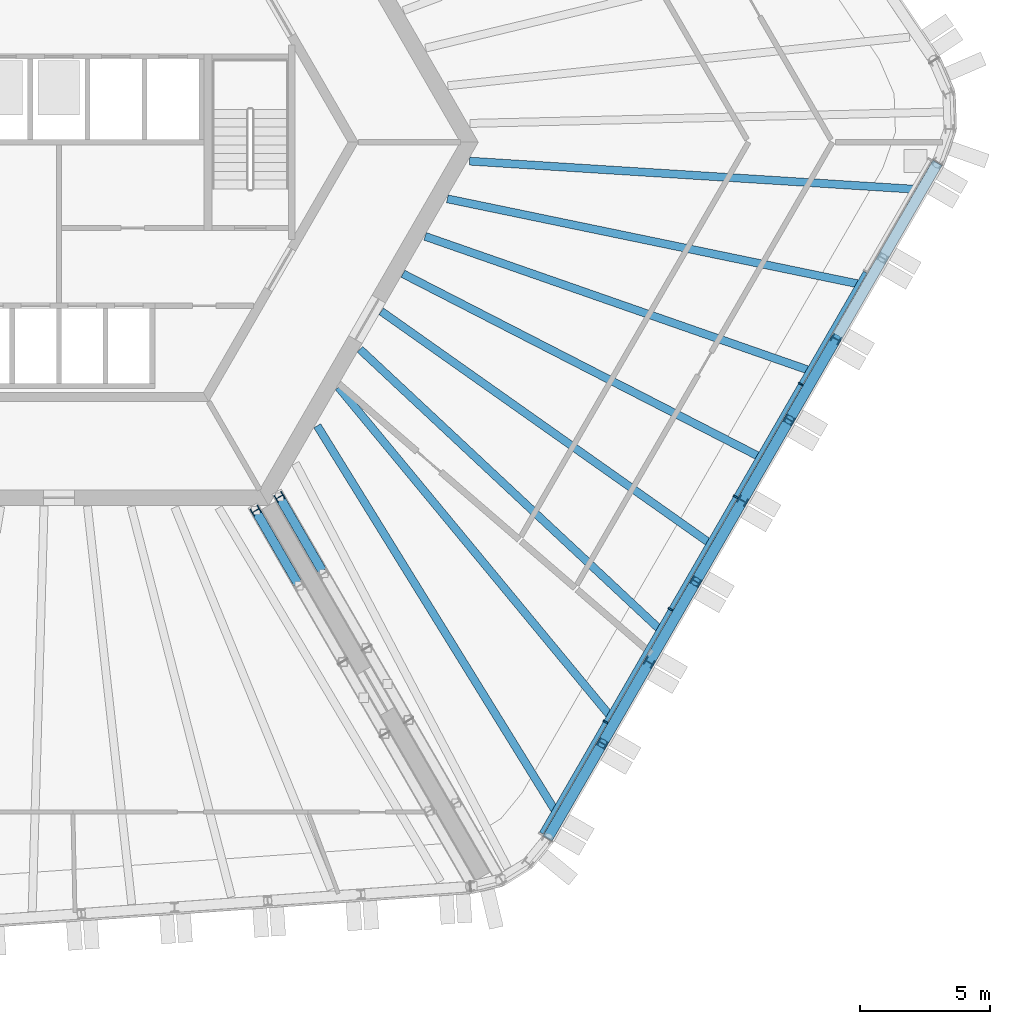
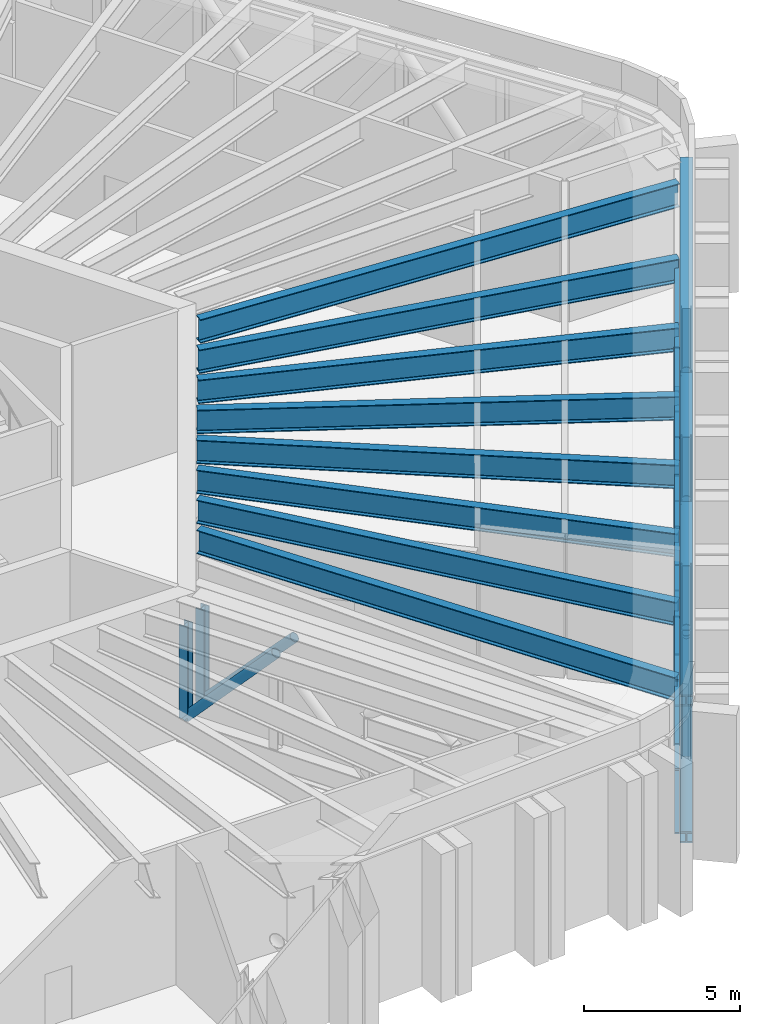
# One storey, part 5 of 27: 37 members, 8 beams, 1 element without a shape of its own.
"""IFC4 building model written with IfcOpenShell, lengths in metres."""

from ifc_helpers import new_model, si_unit, direction, frame, origin, origin_2d, place, context, subcontext, project, spatial, rectangle, hollow_circle, i_section, extrude, material, material_profile, profile_set, type_object, element, aggregate, save


model = new_model("IFC4")

# Units and contexts
model_context = context("Model", 3, precision=1e-05, world=origin(), true_north=direction((0.0, 1.0)))
body_context = subcontext(model_context, "Body", "Model", "MODEL_VIEW")
ifc_project = project(units=[si_unit("LENGTHUNIT", "METRE"), si_unit("AREAUNIT", "SQUARE_METRE"), si_unit("VOLUMEUNIT", "CUBIC_METRE"), si_unit("PLANEANGLEUNIT", "RADIAN"), si_unit("MASSUNIT", "GRAM", prefix="KILO")], contexts=[model_context])

# Site, building, storey
site_placement = place(None, origin())
site = spatial("IfcSite", under=ifc_project, at=site_placement, CompositionType="ELEMENT")
building_placement = place(site_placement, origin())
building = spatial("IfcBuilding", under=site, at=building_placement, Name="Tarnside Tower", CompositionType="ELEMENT")
storey_placement = place(building_placement, frame((0.0, 0.0, 146.699951171875)))
storey = spatial("IfcBuildingStorey", under=building, at=storey_placement, Name="L34", CompositionType="ELEMENT", Elevation=146.699951171875)

# Beams
ifc_material_1 = material(Name="Steel S355", Category="steel")
ifc_material_profile_1 = material_profile(ifc_material_1, i_section(OverallWidth=0.3076171875, OverallDepth=0.926513671875, WebThickness=0.01953125, FlangeThickness=0.031982421875, FilletRadius=0.01904296875, at=origin_2d()), Name="UB 914x305x289")
ifc_profile_set_1 = profile_set([ifc_material_profile_1], Name="Steel S355")
beam_type = type_object("IfcBeamType", Name="Floor beam UB 914x305x289", PredefinedType="BEAM", material=ifc_profile_set_1)
beam_1_placement = place(storey_placement, frame((19.1181640625, -25.747802734375, 5.036865234375), z_axis=(-0.525801635152, 0.85060721868, 0.0), x_axis=(-0.85060721868, -0.525801635152, 0.0)))
element("IfcBeam", 1, at=beam_1_placement, inside=storey, type_object=beam_type, Name="Floor beam F5.01", PredefinedType="BEAM", context=body_context, shape_type="SweptSolid", body=[
    extrude(i_section(OverallWidth=0.3076171875, OverallDepth=0.926513671875, WebThickness=0.01953125, FlangeThickness=0.031982421875, FilletRadius=0.01904296875, at=origin_2d()), origin(), (0.0, 0.0, 1.0), 17.421875),
])
beam_2_placement = place(storey_placement, frame((21.250732421875, -22.1181640625, 5.036865234375), z_axis=(-0.636972775793, 0.770886296998, 0.0), x_axis=(-0.770886296998, -0.636972775793, 0.0)))
element("IfcBeam", 2, at=beam_2_placement, inside=storey, type_object=beam_type, Name="Floor beam F5.02", PredefinedType="BEAM", context=body_context, shape_type="SweptSolid", body=[
    extrude(i_section(OverallWidth=0.3076171875, OverallDepth=0.926513671875, WebThickness=0.01953125, FlangeThickness=0.031982421875, FilletRadius=0.01904296875, at=origin_2d()), origin(), (0.0, 0.0, 1.0), 16.44091796875),
])
beam_3_placement = place(storey_placement, frame((23.185791015625, -18.80078125, 5.036865234375), z_axis=(-0.730681765742, 0.682718212157, 0.0), x_axis=(-0.682718212157, -0.730681765742, 0.0)))
element("IfcBeam", 3, at=beam_3_placement, inside=storey, type_object=beam_type, Name="Floor beam F5.03", PredefinedType="BEAM", context=body_context, shape_type="SweptSolid", body=[
    extrude(i_section(OverallWidth=0.3076171875, OverallDepth=0.926513671875, WebThickness=0.01953125, FlangeThickness=0.031982421875, FilletRadius=0.01904296875, at=origin_2d()), origin(), (0.0, 0.0, 1.0), 15.8505859375),
])
beam_4_placement = place(storey_placement, frame((25.125, -15.48046875, 5.036865234375), z_axis=(-0.817006167251, 0.576628929793, 0.0), x_axis=(-0.576628929793, -0.817006167251, 0.0)))
element("IfcBeam", 4, at=beam_4_placement, inside=storey, type_object=beam_type, Name="Floor beam F5.04", PredefinedType="BEAM", context=body_context, shape_type="SweptSolid", body=[
    extrude(i_section(OverallWidth=0.3076171875, OverallDepth=0.926513671875, WebThickness=0.01953125, FlangeThickness=0.031982421875, FilletRadius=0.01904296875, at=origin_2d()), origin(), (0.0, 0.0, 1.0), 15.543701171875),
])
beam_5_placement = place(storey_placement, frame((27.049560546875, -12.146484375, 5.036865234375), z_axis=(-0.889651260344, 0.456640597153, 0.0), x_axis=(-0.456640597153, -0.889651260344, 0.0)))
element("IfcBeam", 5, at=beam_5_placement, inside=storey, type_object=beam_type, Name="Floor beam F5.05", PredefinedType="BEAM", context=body_context, shape_type="SweptSolid", body=[
    extrude(i_section(OverallWidth=0.3076171875, OverallDepth=0.926513671875, WebThickness=0.01953125, FlangeThickness=0.031982421875, FilletRadius=0.01904296875, at=origin_2d()), origin(), (0.0, 0.0, 1.0), 15.497802734375),
])
beam_6_placement = place(storey_placement, frame((28.955810546875, -8.806396484375, 5.036865234375), z_axis=(-0.944155121826, 0.32950129883, 0.0), x_axis=(-0.32950129883, -0.944155121826, 0.0)))
element("IfcBeam", 6, at=beam_6_placement, inside=storey, type_object=beam_type, Name="Floor beam F5.06", PredefinedType="BEAM", context=body_context, shape_type="SweptSolid", body=[
    extrude(i_section(OverallWidth=0.3076171875, OverallDepth=0.926513671875, WebThickness=0.01953125, FlangeThickness=0.031982421875, FilletRadius=0.01904296875, at=origin_2d()), origin(), (0.0, 0.0, 1.0), 15.716796875),
])
beam_7_placement = place(storey_placement, frame((30.86083984375, -5.47119140625, 5.036865234375), z_axis=(-0.979223447039, 0.202784222188, 0.0), x_axis=(-0.202784222188, -0.979223447039, 0.0)))
element("IfcBeam", 7, at=beam_7_placement, inside=storey, type_object=beam_type, Name="Floor beam F5.07", PredefinedType="BEAM", context=body_context, shape_type="SweptSolid", body=[
    extrude(i_section(OverallWidth=0.3076171875, OverallDepth=0.926513671875, WebThickness=0.01953125, FlangeThickness=0.031982421875, FilletRadius=0.01904296875, at=origin_2d()), origin(), (0.0, 0.0, 1.0), 16.2255859375),
])
beam_8_placement = place(storey_placement, frame((32.9580078125, -1.8095703125, 5.036865234375), z_axis=(-0.998011798019, 0.063027383051, 0.0), x_axis=(-0.063027383051, -0.998011798019, 0.0)))
element("IfcBeam", 8, at=beam_8_placement, inside=storey, type_object=beam_type, Name="Floor beam F5.08", PredefinedType="BEAM", context=body_context, shape_type="SweptSolid", body=[
    extrude(i_section(OverallWidth=0.3076171875, OverallDepth=0.926513671875, WebThickness=0.01953125, FlangeThickness=0.031982421875, FilletRadius=0.01904296875, at=origin_2d()), origin(), (0.0, 0.0, 1.0), 17.163818359375),
])

# Members
ifc_material_profile_2 = material_profile(ifc_material_1, hollow_circle(Radius=0.177734375, WallThickness=0.01611328125, at=origin_2d()), Name="CHS 355.6x16")
ifc_profile_set_2 = profile_set([ifc_material_profile_2], Name="Steel S355")
member_type_1 = type_object("IfcMemberType", Name="Outrigger diagonal CHS 355.6x16", PredefinedType="BRACE", material=ifc_profile_set_2)
member_1_placement = place(storey_placement, frame((8.504150390625, -13.669189453125, 0.921142578125), z_axis=(0.340680500688, -0.590109040481, 0.731920840524), x_axis=(0.866037549347, 0.499978962678, 0.0)))
element("IfcMember", 9, at=member_1_placement, inside=storey, type_object=member_type_1, Name="Outrigger truss diagonal OR3A 1", PredefinedType="BRACE", context=body_context, shape_type="SweptSolid", body=[
    extrude(hollow_circle(Radius=0.177734375, WallThickness=0.01611328125, at=origin_2d()), origin(), (0.0, 0.0, 1.0), 4.997802734375),
])
member_2_placement = place(storey_placement, frame((7.585693359375, -14.199462890625, 0.921142578125), z_axis=(0.337241918553, -0.58411246384, 0.73829568464), x_axis=(0.866022559518, 0.500004926382, 0.0)))
element("IfcMember", 10, at=member_2_placement, inside=storey, type_object=member_type_1, Name="Outrigger truss diagonal OR3B 1", PredefinedType="BRACE", context=body_context, shape_type="SweptSolid", body=[
    extrude(hollow_circle(Radius=0.177734375, WallThickness=0.01611328125, at=origin_2d()), origin(), (0.0, 0.0, 1.0), 4.95458984375),
])
ifc_material_profile_3 = material_profile(ifc_material_1, i_section(OverallWidth=0.314453125, OverallDepth=0.33984375, WebThickness=0.01904296875, FlangeThickness=0.031494140625, FilletRadius=0.01513671875, at=origin_2d()), Name="UC 305x305x198")
ifc_profile_set_3 = profile_set([ifc_material_profile_3], Name="Steel S355")
member_type_2 = type_object("IfcMemberType", Name="Outrigger post UC 305x305x198", PredefinedType="POST", material=ifc_profile_set_3)
for number, where, z_axis, x_axis, name in (
    (11, (8.504150390625, -13.669189453125, 0.921142578125), (0.0, 0.0, 1.0), (0.5, -0.866025403784, 0.0), "Outrigger truss post OR3A 1"),
    (12, (7.585693359375, -14.199462890625, 0.921142578125), (0.0, 0.0, 1.0), (0.5, -0.866025403784, 0.0), "Outrigger truss post OR3B 1"),
):
    element("IfcMember", number, at=place(storey_placement, frame(where, z_axis=z_axis, x_axis=x_axis)), inside=storey, type_object=member_type_2, Name=name, PredefinedType="POST", context=body_context, shape_type="SweptSolid", body=[
        extrude(i_section(OverallWidth=0.314453125, OverallDepth=0.33984375, WebThickness=0.01904296875, FlangeThickness=0.031494140625, FilletRadius=0.01513671875, at=origin_2d()), origin(), (0.0, 0.0, 1.0), 3.657958984375),
    ])

# Curtain wall, members
ifc_material_2 = material(Name="Sky lobby glazing wall", Category="glass")
curtain_wall_type = type_object("IfcCurtainWallType", Name="Sky lobby glazing wall", PredefinedType="NOTDEFINED", material=ifc_material_2)
curtain_wall_placement = place(storey_placement, origin())
curtain_wall = element("IfcCurtainWall", 13, at=curtain_wall_placement, inside=storey, type_object=curtain_wall_type, Name="Sky lobby glazing L34 F5", PredefinedType="NOTDEFINED")
ifc_material_3 = material(Name="Aluminium alloy 6063", Category="aluminium")
ifc_material_profile_4 = material_profile(ifc_material_3, rectangle(XDim=0.199951171875, YDim=0.06005859375, at=origin_2d()), Name="Sky lobby glazing mullion 60 x 200")
ifc_profile_set_4 = profile_set([ifc_material_profile_4], Name="Aluminium alloy 6063")
member_type_3 = type_object("IfcMemberType", Name="Sky lobby glazing mullion 60 x 200", PredefinedType="MULLION", material=ifc_profile_set_4)
member_3_placement = place(storey_placement, frame((21.0712890625, -22.34130859375, 0.0), z_axis=(0.0, 0.0, 1.0), x_axis=(-0.866025403793, 0.499999999985, 0.0)))
member_3 = element("IfcMember", 14, at=member_3_placement, type_object=member_type_3, Name="CW4 mullion 2", PredefinedType="MULLION", context=body_context, shape_type="SweptSolid", body=[
    extrude(rectangle(XDim=0.199951171875, YDim=0.06005859375, at=origin_2d()), origin(), (0.0, 0.0, 1.0), 5.0634765625),
])
member_4_placement = place(storey_placement, frame((23.5771484375, -18.0009765625, 0.0), z_axis=(0.0, 0.0, 1.0), x_axis=(-0.866025403793, 0.499999999985, 0.0)))
member_4 = element("IfcMember", 15, at=member_4_placement, type_object=member_type_3, Name="CW4 mullion 3", PredefinedType="MULLION", context=body_context, shape_type="SweptSolid", body=[
    extrude(rectangle(XDim=0.199951171875, YDim=0.06005859375, at=origin_2d()), origin(), (0.0, 0.0, 1.0), 5.0634765625),
])
member_5_placement = place(storey_placement, frame((26.0830078125, -13.66064453125, 0.0), z_axis=(0.0, 0.0, 1.0), x_axis=(-0.866025403793, 0.499999999985, 0.0)))
member_5 = element("IfcMember", 16, at=member_5_placement, type_object=member_type_3, Name="CW4 mullion 4", PredefinedType="MULLION", context=body_context, shape_type="SweptSolid", body=[
    extrude(rectangle(XDim=0.199951171875, YDim=0.06005859375, at=origin_2d()), origin(), (0.0, 0.0, 1.0), 5.0634765625),
])
member_6_placement = place(storey_placement, frame((28.5888671875, -9.3203125, 0.0), z_axis=(0.0, 0.0, 1.0), x_axis=(-0.866025403793, 0.499999999985, 0.0)))
member_6 = element("IfcMember", 17, at=member_6_placement, type_object=member_type_3, Name="CW4 mullion 5", PredefinedType="MULLION", context=body_context, shape_type="SweptSolid", body=[
    extrude(rectangle(XDim=0.199951171875, YDim=0.06005859375, at=origin_2d()), origin(), (0.0, 0.0, 1.0), 5.0634765625),
])
ifc_material_profile_5 = material_profile(ifc_material_3, rectangle(XDim=0.159912109375, YDim=0.06005859375, at=origin_2d()), Name="Sky lobby glazing transom 60 x 160")
ifc_profile_set_5 = profile_set([ifc_material_profile_5], Name="Aluminium alloy 6063")
member_type_4 = type_object("IfcMemberType", Name="Sky lobby glazing transom 60 x 160", PredefinedType="USERDEFINED", material=ifc_profile_set_5)
member_7_placement = place(storey_placement, frame((18.59521484375, -26.6298828125, 0.030029296875), z_axis=(0.500001549491, 0.866024509183, 0.0), x_axis=(-0.866024509183, 0.500001549491, 0.0)))
member_7 = element("IfcMember", 18, at=member_7_placement, type_object=member_type_4, Name="CW4 transom 1.1", ObjectType="TRANSOM", PredefinedType="USERDEFINED", context=body_context, shape_type="SweptSolid", body=[
    extrude(rectangle(XDim=0.159912109375, YDim=0.06005859375, at=origin_2d()), origin(), (0.0, 0.0, 1.0), 4.921875),
])
member_8_placement = place(storey_placement, frame((18.59521484375, -26.6298828125, 2.53173828125), z_axis=(0.500001549491, 0.866024509183, 0.0), x_axis=(-0.866024509183, 0.500001549491, 0.0)))
member_8 = element("IfcMember", 19, at=member_8_placement, type_object=member_type_4, Name="CW4 transom 1.2", ObjectType="TRANSOM", PredefinedType="USERDEFINED", context=body_context, shape_type="SweptSolid", body=[
    extrude(rectangle(XDim=0.159912109375, YDim=0.06005859375, at=origin_2d()), origin(), (0.0, 0.0, 1.0), 4.921875),
])
member_9_placement = place(storey_placement, frame((18.59521484375, -26.6298828125, 5.033447265625), z_axis=(0.500001549491, 0.866024509183, 0.0), x_axis=(-0.866024509183, 0.500001549491, 0.0)))
member_9 = element("IfcMember", 20, at=member_9_placement, type_object=member_type_4, Name="CW4 transom 1.3", ObjectType="TRANSOM", PredefinedType="USERDEFINED", context=body_context, shape_type="SweptSolid", body=[
    extrude(rectangle(XDim=0.159912109375, YDim=0.06005859375, at=origin_2d()), origin(), (0.0, 0.0, 1.0), 4.921875),
])
member_10_placement = place(storey_placement, frame((21.086181640625, -22.3154296875, 0.030029296875), z_axis=(0.499994176729, 0.866028765826, 0.0), x_axis=(-0.866028765826, 0.499994176729, 0.0)))
member_10 = element("IfcMember", 21, at=member_10_placement, type_object=member_type_4, Name="CW4 transom 2.1", ObjectType="TRANSOM", PredefinedType="USERDEFINED", context=body_context, shape_type="SweptSolid", body=[
    extrude(rectangle(XDim=0.159912109375, YDim=0.06005859375, at=origin_2d()), origin(), (0.0, 0.0, 1.0), 4.95166015625),
])
member_11_placement = place(storey_placement, frame((21.086181640625, -22.3154296875, 2.53173828125), z_axis=(0.499994176729, 0.866028765826, 0.0), x_axis=(-0.866028765826, 0.499994176729, 0.0)))
member_11 = element("IfcMember", 22, at=member_11_placement, type_object=member_type_4, Name="CW4 transom 2.2", ObjectType="TRANSOM", PredefinedType="USERDEFINED", context=body_context, shape_type="SweptSolid", body=[
    extrude(rectangle(XDim=0.159912109375, YDim=0.06005859375, at=origin_2d()), origin(), (0.0, 0.0, 1.0), 4.95166015625),
])
member_12_placement = place(storey_placement, frame((21.086181640625, -22.3154296875, 5.033447265625), z_axis=(0.499994176729, 0.866028765826, 0.0), x_axis=(-0.866028765826, 0.499994176729, 0.0)))
member_12 = element("IfcMember", 23, at=member_12_placement, type_object=member_type_4, Name="CW4 transom 2.3", ObjectType="TRANSOM", PredefinedType="USERDEFINED", context=body_context, shape_type="SweptSolid", body=[
    extrude(rectangle(XDim=0.159912109375, YDim=0.06005859375, at=origin_2d()), origin(), (0.0, 0.0, 1.0), 4.95166015625),
])
member_13_placement = place(storey_placement, frame((23.592041015625, -17.97509765625, 0.030029296875), z_axis=(0.500009804862, 0.866019742871, 0.0), x_axis=(-0.866019742871, 0.500009804862, 0.0)))
member_13 = element("IfcMember", 24, at=member_13_placement, type_object=member_type_4, Name="CW4 transom 3.1", ObjectType="TRANSOM", PredefinedType="USERDEFINED", context=body_context, shape_type="SweptSolid", body=[
    extrude(rectangle(XDim=0.159912109375, YDim=0.06005859375, at=origin_2d()), origin(), (0.0, 0.0, 1.0), 4.9521484375),
])
member_14_placement = place(storey_placement, frame((23.592041015625, -17.97509765625, 2.53173828125), z_axis=(0.500009804862, 0.866019742871, 0.0), x_axis=(-0.866019742871, 0.500009804862, 0.0)))
member_14 = element("IfcMember", 25, at=member_14_placement, type_object=member_type_4, Name="CW4 transom 3.2", ObjectType="TRANSOM", PredefinedType="USERDEFINED", context=body_context, shape_type="SweptSolid", body=[
    extrude(rectangle(XDim=0.159912109375, YDim=0.06005859375, at=origin_2d()), origin(), (0.0, 0.0, 1.0), 4.9521484375),
])
member_15_placement = place(storey_placement, frame((23.592041015625, -17.97509765625, 5.033447265625), z_axis=(0.500009804862, 0.866019742871, 0.0), x_axis=(-0.866019742871, 0.500009804862, 0.0)))
member_15 = element("IfcMember", 26, at=member_15_placement, type_object=member_type_4, Name="CW4 transom 3.3", ObjectType="TRANSOM", PredefinedType="USERDEFINED", context=body_context, shape_type="SweptSolid", body=[
    extrude(rectangle(XDim=0.159912109375, YDim=0.06005859375, at=origin_2d()), origin(), (0.0, 0.0, 1.0), 4.9521484375),
])
member_16_placement = place(storey_placement, frame((26.09814453125, -13.634765625, 0.030029296875), z_axis=(0.499972828297, 0.866041090806, 0.0), x_axis=(-0.866041090806, 0.499972828297, 0.0)))
member_16 = element("IfcMember", 27, at=member_16_placement, type_object=member_type_4, Name="CW4 transom 4.1", ObjectType="TRANSOM", PredefinedType="USERDEFINED", context=body_context, shape_type="SweptSolid", body=[
    extrude(rectangle(XDim=0.159912109375, YDim=0.06005859375, at=origin_2d()), origin(), (0.0, 0.0, 1.0), 4.951904296875),
])
member_17_placement = place(storey_placement, frame((26.09814453125, -13.634765625, 2.53173828125), z_axis=(0.499972828297, 0.866041090806, 0.0), x_axis=(-0.866041090806, 0.499972828297, 0.0)))
member_17 = element("IfcMember", 28, at=member_17_placement, type_object=member_type_4, Name="CW4 transom 4.2", ObjectType="TRANSOM", PredefinedType="USERDEFINED", context=body_context, shape_type="SweptSolid", body=[
    extrude(rectangle(XDim=0.159912109375, YDim=0.06005859375, at=origin_2d()), origin(), (0.0, 0.0, 1.0), 4.951904296875),
])
member_18_placement = place(storey_placement, frame((26.09814453125, -13.634765625, 5.033447265625), z_axis=(0.499972828297, 0.866041090806, 0.0), x_axis=(-0.866041090806, 0.499972828297, 0.0)))
member_18 = element("IfcMember", 29, at=member_18_placement, type_object=member_type_4, Name="CW4 transom 4.3", ObjectType="TRANSOM", PredefinedType="USERDEFINED", context=body_context, shape_type="SweptSolid", body=[
    extrude(rectangle(XDim=0.159912109375, YDim=0.06005859375, at=origin_2d()), origin(), (0.0, 0.0, 1.0), 4.951904296875),
])
member_19_placement = place(storey_placement, frame((28.60400390625, -9.294189453125, 0.030029296875), z_axis=(0.499994176729, 0.866028765826, 0.0), x_axis=(-0.866028765826, 0.499994176729, 0.0)))
member_19 = element("IfcMember", 30, at=member_19_placement, type_object=member_type_4, Name="CW4 transom 5.1", ObjectType="TRANSOM", PredefinedType="USERDEFINED", context=body_context, shape_type="SweptSolid", body=[
    extrude(rectangle(XDim=0.159912109375, YDim=0.06005859375, at=origin_2d()), origin(), (0.0, 0.0, 1.0), 4.95166015625),
])
member_20_placement = place(storey_placement, frame((28.60400390625, -9.294189453125, 2.53173828125), z_axis=(0.499994176729, 0.866028765826, 0.0), x_axis=(-0.866028765826, 0.499994176729, 0.0)))
member_20 = element("IfcMember", 31, at=member_20_placement, type_object=member_type_4, Name="CW4 transom 5.2", ObjectType="TRANSOM", PredefinedType="USERDEFINED", context=body_context, shape_type="SweptSolid", body=[
    extrude(rectangle(XDim=0.159912109375, YDim=0.06005859375, at=origin_2d()), origin(), (0.0, 0.0, 1.0), 4.95166015625),
])
member_21_placement = place(storey_placement, frame((28.60400390625, -9.294189453125, 5.033447265625), z_axis=(0.499994176729, 0.866028765826, 0.0), x_axis=(-0.866028765826, 0.499994176729, 0.0)))
member_21 = element("IfcMember", 32, at=member_21_placement, type_object=member_type_4, Name="CW4 transom 5.3", ObjectType="TRANSOM", PredefinedType="USERDEFINED", context=body_context, shape_type="SweptSolid", body=[
    extrude(rectangle(XDim=0.159912109375, YDim=0.06005859375, at=origin_2d()), origin(), (0.0, 0.0, 1.0), 4.95166015625),
])
aggregate(curtain_wall, [member_3, member_4, member_5, member_6, member_7, member_8, member_9, member_10, member_11, member_12, member_13, member_14, member_15, member_16, member_17, member_18, member_19, member_20, member_21])

# Members
ifc_material_profile_6 = material_profile(ifc_material_1, i_section(OverallWidth=0.406982421875, OverallDepth=0.4189453125, WebThickness=0.030517578125, FlangeThickness=0.04931640625, FilletRadius=0.01513671875, at=origin_2d()), Name="UC 356x406x393")
ifc_profile_set_6 = profile_set([ifc_material_profile_6], Name="Steel S355")
member_type_5 = type_object("IfcMemberType", Name="Truss chord UC 356x406x393", PredefinedType="CHORD", material=ifc_profile_set_6)
member_22_placement = place(storey_placement, frame((18.830322265625, -26.834716796875, -0.09033203125), z_axis=(0.500003800416, 0.866023209602, 0.0), x_axis=(-0.866023209602, 0.500003800416, 0.0)))
element("IfcMember", 33, at=member_22_placement, inside=storey, type_object=member_type_5, Name="Belt truss bottom chord L34 run", PredefinedType="CHORD", context=body_context, shape_type="SweptSolid", body=[
    extrude(i_section(OverallWidth=0.406982421875, OverallDepth=0.4189453125, WebThickness=0.030517578125, FlangeThickness=0.04931640625, FilletRadius=0.01513671875, at=origin_2d()), origin(), (0.0, 0.0, 1.0), 30.071044921875),
])
ifc_material_4 = material(Name="Steel S460", Category="steel")
ifc_material_profile_7 = material_profile(ifc_material_4, i_section(OverallWidth=0.412109375, OverallDepth=0.4365234375, WebThickness=0.035888671875, FlangeThickness=0.05810546875, FilletRadius=0.01513671875, at=origin_2d()), Name="UC 356x406x467")
ifc_profile_set_7 = profile_set([ifc_material_profile_7], Name="Steel S460")
member_type_6 = type_object("IfcMemberType", Name="Truss chord UC 356x406x467", PredefinedType="CHORD", material=ifc_profile_set_7)
member_23_placement = place(storey_placement, frame((18.830322265625, -26.834716796875, 5.28173828125), z_axis=(0.500003800416, 0.866023209602, 0.0), x_axis=(-0.866023209602, 0.500003800416, 0.0)))
element("IfcMember", 34, at=member_23_placement, inside=storey, type_object=member_type_6, Name="Belt truss top chord L34 run", PredefinedType="CHORD", context=body_context, shape_type="SweptSolid", body=[
    extrude(i_section(OverallWidth=0.412109375, OverallDepth=0.4365234375, WebThickness=0.035888671875, FlangeThickness=0.05810546875, FilletRadius=0.01513671875, at=origin_2d()), origin(), (0.0, 0.0, 1.0), 30.071044921875),
])
ifc_material_profile_8 = material_profile(ifc_material_1, hollow_circle(Radius=0.203125, WallThickness=0.01611328125, at=origin_2d()), Name="CHS 406.4x16")
ifc_profile_set_8 = profile_set([ifc_material_profile_8], Name="Steel S355")
member_type_7 = type_object("IfcMemberType", Name="Truss diagonal CHS 406.4x16", PredefinedType="BRACE", material=ifc_profile_set_8)
member_24_placement = place(storey_placement, frame((18.830322265625, -26.834716796875, 0.119140625), z_axis=(0.325277002391, 0.563403468287, 0.75945467517), x_axis=(-0.866028160477, 0.499995225238, 0.0)))
element("IfcMember", 35, at=member_24_placement, inside=storey, type_object=member_type_7, Name="Belt truss diagonal L34 45", PredefinedType="BRACE", context=body_context, shape_type="SweptSolid", body=[
    extrude(hollow_circle(Radius=0.203125, WallThickness=0.01611328125, at=origin_2d()), origin(), (0.0, 0.0, 1.0), 6.510498046875),
])
for number, where, z_axis, x_axis, name in (
    (36, (20.947998046875, -23.166748046875, 5.0634765625), (0.294313741712, 0.509749963605, -0.808414742594), (-0.866018442252, 0.500012057535, 0.0), "Belt truss diagonal L34 46"),
    (37, (22.748046875, -20.049072265625, 0.119140625), (0.294313741712, 0.509749963605, 0.808414742594), (-0.866018442252, 0.500012057535, 0.0), "Belt truss diagonal L34 47"),
    (38, (24.548095703125, -16.931396484375, 5.0634765625), (0.294313741712, 0.509749963605, -0.808414742594), (-0.866018442252, 0.500012057535, 0.0), "Belt truss diagonal L34 48"),
    (39, (26.34814453125, -13.813720703125, 0.119140625), (0.294313741712, 0.509749963605, 0.808414742594), (-0.866018442252, 0.500012057535, 0.0), "Belt truss diagonal L34 49"),
    (40, (28.148193359375, -10.696044921875, 5.0634765625), (0.294277280997, 0.509755952025, -0.808424239656), (-0.866047807691, 0.499961193289, 0.0), "Belt truss diagonal L34 50"),
):
    element("IfcMember", number, at=place(storey_placement, frame(where, z_axis=z_axis, x_axis=x_axis)), inside=storey, type_object=member_type_7, Name=name, PredefinedType="BRACE", context=body_context, shape_type="SweptSolid", body=[
        extrude(hollow_circle(Radius=0.203125, WallThickness=0.01611328125, at=origin_2d()), origin(), (0.0, 0.0, 1.0), 6.115966796875),
    ])
ifc_material_profile_9 = material_profile(ifc_material_1, i_section(OverallWidth=0.314453125, OverallDepth=0.33984375, WebThickness=0.01904296875, FlangeThickness=0.031494140625, FilletRadius=0.01513671875, at=origin_2d()), Name="UC 305x305x198")
ifc_profile_set_9 = profile_set([ifc_material_profile_9], Name="Steel S355")
member_type_8 = type_object("IfcMemberType", Name="Truss post UC 305x305x198", PredefinedType="POST", material=ifc_profile_set_9)
for number, where, z_axis, x_axis, name in (
    (41, (20.947998046875, -23.166748046875, 0.119140625), (0.0, 0.0, 1.0), (0.5, 0.866025403784, 0.0), "Belt truss post L34 46"),
    (42, (22.748046875, -20.049072265625, 0.119140625), (0.0, 0.0, 1.0), (0.5, 0.866025403784, 0.0), "Belt truss post L34 47"),
    (43, (24.548095703125, -16.931396484375, 0.119140625), (0.0, 0.0, 1.0), (0.5, 0.866025403784, 0.0), "Belt truss post L34 48"),
    (44, (26.34814453125, -13.813720703125, 0.119140625), (0.0, 0.0, 1.0), (0.5, 0.866025403784, 0.0), "Belt truss post L34 49"),
    (45, (28.148193359375, -10.696044921875, 0.119140625), (0.0, 0.0, 1.0), (0.5, 0.866025403784, 0.0), "Belt truss post L34 50"),
    (46, (29.947998046875, -7.578369140625, 0.119140625), (0.0, 0.0, 1.0), (0.5, 0.866025403784, 0.0), "Belt truss post L34 51"),
):
    element("IfcMember", number, at=place(storey_placement, frame(where, z_axis=z_axis, x_axis=x_axis)), inside=storey, type_object=member_type_8, Name=name, PredefinedType="POST", context=body_context, shape_type="SweptSolid", body=[
        extrude(i_section(OverallWidth=0.314453125, OverallDepth=0.33984375, WebThickness=0.01904296875, FlangeThickness=0.031494140625, FilletRadius=0.01513671875, at=origin_2d()), origin(), (0.0, 0.0, 1.0), 4.9443359375),
    ])

save(model, "model.ifc")
